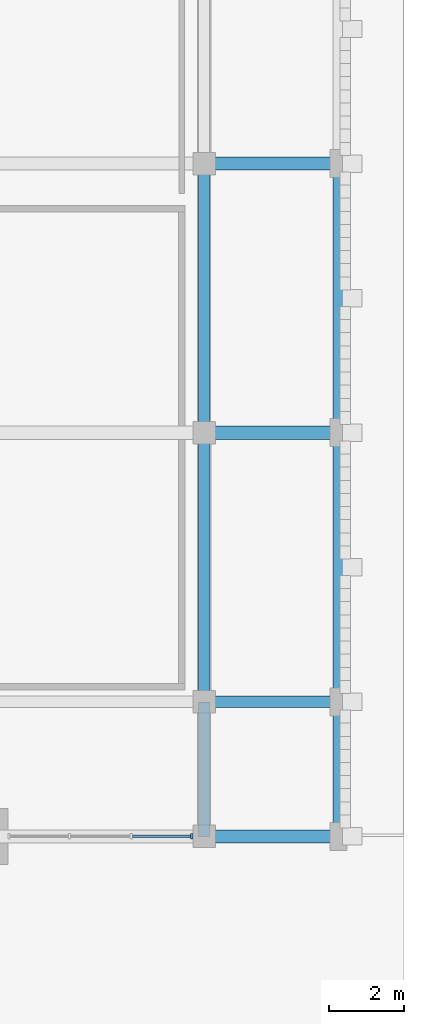
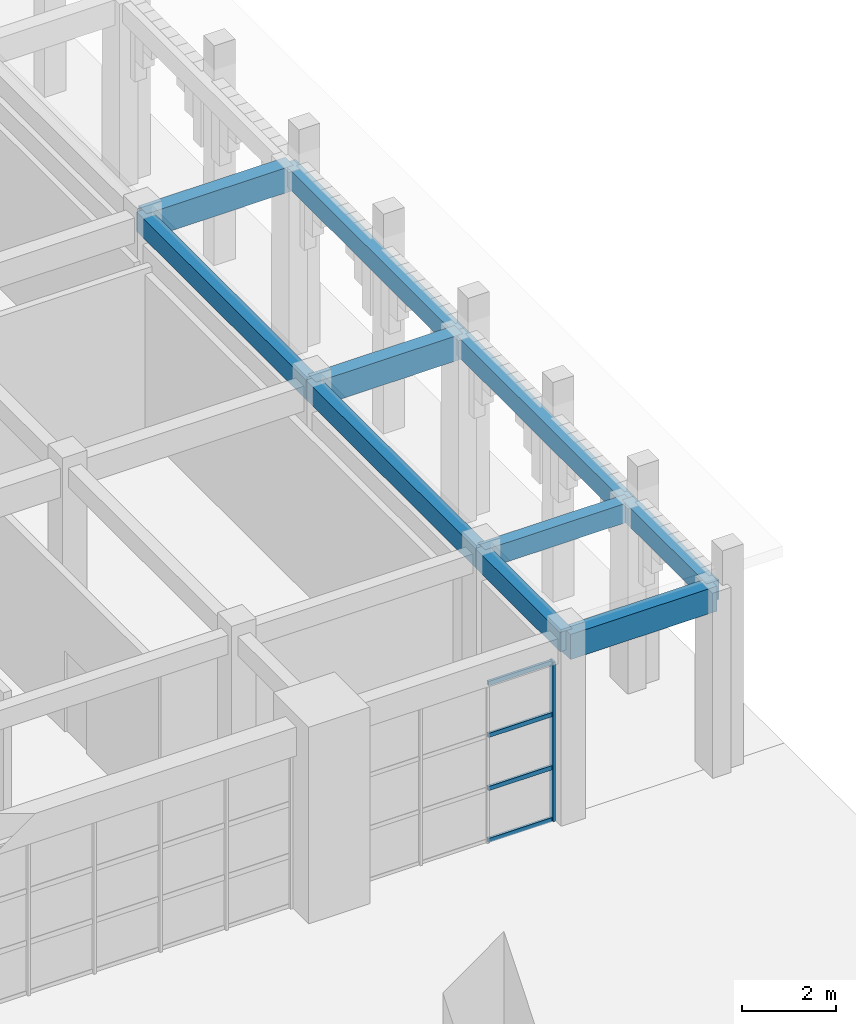
# One storey, part 24 of 72: 10 beams, 5 members, 1 element without a shape of its own.
"""IFC4 building model written with IfcOpenShell, lengths in metres."""

import ifcopenshell
import ifcopenshell.guid

model = None  # the IFC model being written
_history = None  # IfcOwnerHistory: only IFC2X3 demands one
_inside = {}  # id of a spatial element -> (the spatial element, [elements in it])
_under = {}  # id of a project, library or spatial element -> (it, [spatial elements below it])
_declared = {}  # id of a project -> (the project, [libraries it declares])
_typed = {}  # id of a type object -> (the type object, [elements of that type])
_made_of = {}  # id of a material, layer set ... -> (it, [elements and type objects made of it])


def new_model(schema):
    """Start an empty IFC model of exactly this schema.

    Asked for "IFC4X3", IfcOpenShell would pick the latest addendum, in which some entities
    have other attributes; the version numbers below select the first issue.
    IFC2X3 requires an IfcOwnerHistory on every rooted entity: one is made here for all.
    """
    global model, _history
    if schema == "IFC4X3":
        model = ifcopenshell.file(schema_version=(4, 3, 0, 0))
    else:
        model = ifcopenshell.file(schema=schema)
    _inside.clear()
    _under.clear()
    _declared.clear()
    _typed.clear()
    _made_of.clear()
    _history = None
    if model.schema == "IFC2X3":
        org = make("IfcOrganization", Name="unknown")
        user = make(
            "IfcPersonAndOrganization",
            ThePerson=make("IfcPerson", FamilyName="unknown"),
            TheOrganization=org,
        )
        app = make(
            "IfcApplication",
            ApplicationDeveloper=org,
            Version="unknown",
            ApplicationFullName="unknown",
            ApplicationIdentifier="unknown",
        )
        _history = make(
            "IfcOwnerHistory",
            OwningUser=user,
            OwningApplication=app,
            ChangeAction="ADDED",
            CreationDate=0,
        )
    return model


def make(cls, **values):
    """One entity of the class cls with the attributes given. An attribute that is None is left unset."""
    return model.create_entity(
        cls, **{name: value for name, value in values.items() if value is not None}
    )


def rooted(cls, **values):
    """An entity with a GlobalId (a new one), such as an element, a storey or a relation."""
    return make(cls, GlobalId=ifcopenshell.guid.new(), OwnerHistory=_history, **values)


def si_unit(unit_type, name, prefix=None):
    """IfcSIUnit, for example si_unit("LENGTHUNIT", "METRE", prefix="MILLI")."""
    return make("IfcSIUnit", UnitType=unit_type, Prefix=prefix, Name=name)


def assignment(units):
    """IfcUnitAssignment: the units of a project."""
    return None if units is None else make("IfcUnitAssignment", Units=units)


def point(xyz):
    """IfcCartesianPoint."""
    return None if xyz is None else make("IfcCartesianPoint", Coordinates=xyz)


def direction(xyz):
    """IfcDirection."""
    return None if xyz is None else make("IfcDirection", DirectionRatios=xyz)


def frame(location, z_axis=None, x_axis=None):
    """IfcAxis2Placement3D, a coordinate frame: its origin and axes. An axis left out is left unset."""
    return make(
        "IfcAxis2Placement3D",
        Location=point(location),
        Axis=direction(z_axis),
        RefDirection=direction(x_axis),
    )


def frame_2d(location, x_axis=None):
    """IfcAxis2Placement2D, a coordinate frame in the plane: its origin and x axis."""
    return make(
        "IfcAxis2Placement2D", Location=point(location), RefDirection=direction(x_axis)
    )


def origin():
    """The frame at (0, 0, 0) with its axes left unset."""
    return frame((0.0, 0.0, 0.0))


def origin_2d():
    """The frame at (0, 0) in the plane with its x axis left unset."""
    return frame_2d((0.0, 0.0))


def place(relative_to, where):
    """IfcLocalPlacement: puts the frame where relative to a parent placement (None: the world)."""
    return make(
        "IfcLocalPlacement", PlacementRelTo=relative_to, RelativePlacement=where
    )


def context(
    kind, dimensions, precision=None, world=None, true_north=None, identifier=None
):
    """IfcGeometricRepresentationContext, for example the 3D "Model" context."""
    return make(
        "IfcGeometricRepresentationContext",
        ContextIdentifier=identifier,
        ContextType=kind,
        CoordinateSpaceDimension=dimensions,
        Precision=precision,
        WorldCoordinateSystem=world,
        TrueNorth=true_north,
    )


def subcontext(parent, identifier, kind, view, scale=None):
    """IfcGeometricRepresentationSubContext, for example "Body" below "Model"."""
    return make(
        "IfcGeometricRepresentationSubContext",
        ContextIdentifier=identifier,
        ContextType=kind,
        ParentContext=parent,
        TargetScale=scale,
        TargetView=view,
    )


def project(units=None, contexts=None):
    """IfcProject with its units and contexts."""
    return rooted(
        "IfcProject",
        Name="project",
        RepresentationContexts=contexts,
        UnitsInContext=assignment(units),
    )


def spatial(cls, under=None, at=None, **own):
    """A site, building, storey or space (cls), placed at a placement, below another one or the project."""
    s = rooted(cls, ObjectPlacement=at, **own)
    if under is not None:
        _under.setdefault(under.id(), (under, []))[1].append(s)
    return s


def profile(cls, at=None, kind="AREA", **sizes):
    """A parametric profile (cls). Its sizes go by their IFC names, for example OverallWidth=200.0."""
    return make(cls, ProfileType=kind, Position=at, **sizes)


def rectangle(**sizes):
    """IfcRectangleProfileDef."""
    return profile("IfcRectangleProfileDef", **sizes)


def extrude(swept, where, along, depth):
    """IfcExtrudedAreaSolid: the profile swept, set in the frame where, extruded along a direction by depth."""
    return make(
        "IfcExtrudedAreaSolid",
        SweptArea=swept,
        Position=where,
        ExtrudedDirection=direction(along),
        Depth=depth,
    )


def shape(context_of_items, identifier, shape_type, items):
    """IfcShapeRepresentation: the items that make up one representation, for example the "Body"."""
    return make(
        "IfcShapeRepresentation",
        ContextOfItems=context_of_items,
        RepresentationIdentifier=identifier,
        RepresentationType=shape_type,
        Items=items,
    )


def material(Name=None, Category=None):
    """IfcMaterial."""
    return make("IfcMaterial", Name=Name, Category=Category)


def material_profile(
    of_material, cross_section, Name=None, Category=None, Priority=None
):
    """IfcMaterialProfile: a cross section and its material."""
    return make(
        "IfcMaterialProfile",
        Name=Name,
        Material=of_material,
        Profile=cross_section,
        Priority=Priority,
        Category=Category,
    )


def profile_set(profiles, Name=None, composite=None):
    """IfcMaterialProfileSet."""
    return make(
        "IfcMaterialProfileSet",
        Name=Name,
        MaterialProfiles=profiles,
        CompositeProfile=composite,
    )


def made_of(thing, what):
    """Note that an element or type object is made of a material, layer set ...; save() writes the relation."""
    if what is not None:
        _made_of.setdefault(what.id(), (what, []))[1].append(thing)
    return thing


def type_object(cls, material=None, **own):
    """A type object (cls), such as IfcWallType, which elements share."""
    return made_of(rooted(cls, **own), material)


def element(
    cls,
    number,
    at=None,
    inside=None,
    cuts=None,
    type_object=None,
    material=None,
    context=None,
    identifier="Body",
    shape_type=None,
    held_by="IfcProductDefinitionShape",
    body=None,
    shapes=None,
    **own,
):
    """One element of the class cls, such as IfcWall. Its Tag is "e" and its number.

    at: its placement. inside: the storey or other place that contains it. cuts: it is an
    opening in that element (IfcRelVoidsElement). A single representation is given by context,
    identifier, shape_type and body (its items); several are given by shapes. held_by: the class
    of the entity that holds the representations. save() writes the other relations.
    """
    e = rooted(cls, Tag="e%d" % number, ObjectPlacement=at, **own)
    if body is not None:
        shapes = [shape(context, identifier, shape_type, body)]
    if shapes is not None:
        e.Representation = make(held_by, Representations=shapes)
    if inside is not None:
        _inside.setdefault(inside.id(), (inside, []))[1].append(e)
    if cuts is not None:
        rooted(
            "IfcRelVoidsElement", RelatingBuildingElement=cuts, RelatedOpeningElement=e
        )
    if type_object is not None:
        _typed.setdefault(type_object.id(), (type_object, []))[1].append(e)
    return made_of(e, material)


def aggregate(whole, parts):
    """IfcRelAggregates: a whole, such as a stair, and the parts it consists of."""
    return rooted("IfcRelAggregates", RelatingObject=whole, RelatedObjects=parts)


def save(model, path):
    """Write the relations noted so far, then the file.

    IfcRelAggregates (storeys below a building ...), IfcRelContainedInSpatialStructure (elements
    in a storey), IfcRelDefinesByType, IfcRelAssociatesMaterial and IfcRelDeclares: one each for
    every whole, place, type object, material and project.
    """
    for whole, parts in _under.values():
        aggregate(whole, parts)
    for where, things in _inside.values():
        rooted(
            "IfcRelContainedInSpatialStructure",
            RelatedElements=things,
            RelatingStructure=where,
        )
    for kind, things in _typed.values():
        rooted("IfcRelDefinesByType", RelatedObjects=things, RelatingType=kind)
    for what, things in _made_of.values():
        rooted("IfcRelAssociatesMaterial", RelatedObjects=things, RelatingMaterial=what)
    for by, libraries in _declared.values():
        rooted("IfcRelDeclares", RelatingContext=by, RelatedDefinitions=libraries)
    model.write(path)


model = new_model("IFC4")

# Units and contexts
model_context = context("Model", 3, precision=1e-05, world=origin(), true_north=direction((0.0, 1.0)))
body_context = subcontext(model_context, "Body", "Model", "MODEL_VIEW")
ifc_project = project(units=[si_unit("LENGTHUNIT", "METRE"), si_unit("AREAUNIT", "SQUARE_METRE"), si_unit("VOLUMEUNIT", "CUBIC_METRE"), si_unit("PLANEANGLEUNIT", "RADIAN"), si_unit("MASSUNIT", "GRAM", prefix="KILO")], contexts=[model_context])

# Site, building, storey
site_placement = place(None, origin())
site = spatial("IfcSite", under=ifc_project, at=site_placement, CompositionType="ELEMENT")
building_placement = place(site_placement, origin())
building = spatial("IfcBuilding", under=site, at=building_placement, Name="Nzembalo Square Collegiate School", CompositionType="ELEMENT")
storey_placement = place(building_placement, origin())
storey = spatial("IfcBuildingStorey", under=building, at=storey_placement, Name="L00", CompositionType="ELEMENT", Elevation=0.0)

# Beams
ifc_material_1 = material(Name="Concrete C35/45", Category="concrete")
ifc_material_profile_1 = material_profile(ifc_material_1, rectangle(XDim=0.35009765625, YDim=0.64990234375, at=origin_2d()), Name="RC 350x650")
ifc_profile_set_1 = profile_set([ifc_material_profile_1], Name="Concrete C35/45")
beam_type_1 = type_object("IfcBeamType", Name="B01", PredefinedType="BEAM", material=ifc_profile_set_1)
for number, where, z_axis, x_axis, name in (
    (1, (165.60009765625, 79.199951171875, 4.465087890625), (1.0, 0.0, 0.0), (0.0, 1.0, 0.0), "Beam B01 L00"),
    (2, (165.60009765625, 90.0, 4.465087890625), (1.0, 0.0, 0.0), (0.0, 1.0, 0.0), "Beam B01 L00"),
    (3, (165.60009765625, 97.199951171875, 4.465087890625), (1.0, 0.0, 0.0), (0.0, 1.0, 0.0), "Beam B01 L00"),
):
    element("IfcBeam", number, at=place(storey_placement, frame(where, z_axis=z_axis, x_axis=x_axis)), inside=storey, type_object=beam_type_1, Name=name, PredefinedType="BEAM", context=body_context, shape_type="SweptSolid", body=[
        extrude(rectangle(XDim=0.35009765625, YDim=0.64990234375, at=origin_2d()), origin(), (0.0, 0.0, 1.0), 3.599853515625),
    ])
ifc_material_2 = material(Name="Concrete C35/45", Category="concrete")
ifc_material_profile_2 = material_profile(ifc_material_2, rectangle(XDim=0.300048828125, YDim=0.5, at=origin_2d()), Name="RC 300x500")
ifc_profile_set_2 = profile_set([ifc_material_profile_2], Name="Concrete C35/45")
beam_type_2 = type_object("IfcBeamType", Name="SP01", PredefinedType="SPANDREL", material=ifc_profile_set_2)
beam_1_placement = place(storey_placement, frame((165.60009765625, 82.800048828125, 4.5400390625), z_axis=(1.0, 0.0, 0.0), x_axis=(0.0, 1.0, 0.0)))
element("IfcBeam", 4, at=beam_1_placement, inside=storey, type_object=beam_type_2, Name="Beam SP01 L00", PredefinedType="SPANDREL", context=body_context, shape_type="SweptSolid", body=[
    extrude(rectangle(XDim=0.300048828125, YDim=0.5, at=origin_2d()), origin(), (0.0, 0.0, 1.0), 3.599853515625),
])
beam_2_placement = place(storey_placement, frame((165.60009765625, 79.199951171875, 4.5400390625), z_axis=(0.0, 1.0, 0.0), x_axis=(-1.0, 0.0, 0.0)))
element("IfcBeam", 5, at=beam_2_placement, inside=storey, type_object=beam_type_2, Name="Beam SP01 L00", PredefinedType="SPANDREL", context=body_context, shape_type="SweptSolid", body=[
    extrude(rectangle(XDim=0.300048828125, YDim=0.5, at=origin_2d()), origin(), (0.0, 0.0, 1.0), 3.60009765625),
])
for number, where, z_axis, x_axis, name in (
    (6, (165.60009765625, 82.800048828125, 4.5400390625), (0.0, 1.0, 0.0), (-1.0, 0.0, 0.0), "Beam SP01 L00"),
    (7, (165.60009765625, 90.0, 4.5400390625), (0.0, 1.0, 0.0), (-1.0, 0.0, 0.0), "Beam SP01 L00"),
):
    element("IfcBeam", number, at=place(storey_placement, frame(where, z_axis=z_axis, x_axis=x_axis)), inside=storey, type_object=beam_type_2, Name=name, PredefinedType="SPANDREL", context=body_context, shape_type="SweptSolid", body=[
        extrude(rectangle(XDim=0.300048828125, YDim=0.5, at=origin_2d()), origin(), (0.0, 0.0, 1.0), 7.199951171875),
    ])
beam_3_placement = place(storey_placement, frame((169.199951171875, 79.199951171875, 4.5400390625), z_axis=(0.0, 1.0, 0.0), x_axis=(-1.0, 0.0, 0.0)))
element("IfcBeam", 8, at=beam_3_placement, inside=storey, type_object=beam_type_2, Name="Beam SP01 L00", PredefinedType="SPANDREL", context=body_context, shape_type="SweptSolid", body=[
    extrude(rectangle(XDim=0.300048828125, YDim=0.5, at=origin_2d()), origin(), (0.0, 0.0, 1.0), 3.60009765625),
])
for number, where, z_axis, x_axis, name in (
    (9, (169.199951171875, 82.800048828125, 4.5400390625), (0.0, 1.0, 0.0), (-1.0, 0.0, 0.0), "Beam SP01 L00"),
    (10, (169.199951171875, 90.0, 4.5400390625), (0.0, 1.0, 0.0), (-1.0, 0.0, 0.0), "Beam SP01 L00"),
):
    element("IfcBeam", number, at=place(storey_placement, frame(where, z_axis=z_axis, x_axis=x_axis)), inside=storey, type_object=beam_type_2, Name=name, PredefinedType="SPANDREL", context=body_context, shape_type="SweptSolid", body=[
        extrude(rectangle(XDim=0.300048828125, YDim=0.5, at=origin_2d()), origin(), (0.0, 0.0, 1.0), 7.199951171875),
    ])

# Curtain wall, members
ifc_material_3 = material(Name="Aluminium 6060-T66", Category="aluminium")
curtain_wall_type = type_object("IfcCurtainWallType", Name="CW-14", PredefinedType="USERDEFINED", material=ifc_material_3)
curtain_wall_placement = place(storey_placement, origin())
curtain_wall = element("IfcCurtainWall", 11, at=curtain_wall_placement, inside=storey, type_object=curtain_wall_type, Name="Curtain wall CW-14 cw:L00:025", ObjectType="UNITISED", PredefinedType="USERDEFINED")
ifc_material_4 = material(Name="Aluminium 6060-T66", Category="aluminium")
ifc_material_profile_3 = material_profile(ifc_material_4, rectangle(XDim=0.06005859375, YDim=0.14990234375, at=origin_2d()), Name="ALU M60x150")
ifc_profile_set_3 = profile_set([ifc_material_profile_3], Name="Aluminium 6060-T66")
member_type_1 = type_object("IfcMemberType", Name="ML02", PredefinedType="MULLION", material=ifc_profile_set_3)
member_1_placement = place(storey_placement, frame((165.26806640625, 79.199951171875, 0.0), z_axis=(0.0, 0.0, 1.0), x_axis=(1.0, 0.0, 0.0)))
member_1 = element("IfcMember", 12, at=member_1_placement, type_object=member_type_1, Name="ML02 mullion 4", PredefinedType="MULLION", context=body_context, shape_type="SweptSolid", body=[
    extrude(rectangle(XDim=0.06005859375, YDim=0.14990234375, at=origin_2d()), origin(), (0.0, 0.0, 1.0), 4.134033203125),
])
ifc_material_5 = material(Name="Aluminium 6060-T66", Category="aluminium")
ifc_material_profile_4 = material_profile(ifc_material_5, rectangle(XDim=0.06005859375, YDim=0.110107421875, at=origin_2d()), Name="ALU T60x110")
ifc_profile_set_4 = profile_set([ifc_material_profile_4], Name="Aluminium 6060-T66")
member_type_2 = type_object("IfcMemberType", Name="TR02", PredefinedType="USERDEFINED", material=ifc_profile_set_4)
member_2_placement = place(storey_placement, frame((163.679443359375, 79.199951171875, 0.030029296875), z_axis=(1.0, 0.0, 0.0), x_axis=(0.0, 1.0, 0.0)))
member_2 = element("IfcMember", 13, at=member_2_placement, type_object=member_type_2, Name="TR02 transom 1-3", ObjectType="TRANSOM", PredefinedType="USERDEFINED", context=body_context, shape_type="SweptSolid", body=[
    extrude(rectangle(XDim=0.06005859375, YDim=0.110107421875, at=origin_2d()), origin(), (0.0, 0.0, 1.0), 1.55859375),
])
member_3_placement = place(storey_placement, frame((163.679443359375, 79.199951171875, 1.3779296875), z_axis=(1.0, 0.0, 0.0), x_axis=(0.0, 1.0, 0.0)))
member_3 = element("IfcMember", 14, at=member_3_placement, type_object=member_type_2, Name="TR02 transom 2-3", ObjectType="TRANSOM", PredefinedType="USERDEFINED", context=body_context, shape_type="SweptSolid", body=[
    extrude(rectangle(XDim=0.06005859375, YDim=0.110107421875, at=origin_2d()), origin(), (0.0, 0.0, 1.0), 1.55859375),
])
member_4_placement = place(storey_placement, frame((163.679443359375, 79.199951171875, 2.756103515625), z_axis=(1.0, 0.0, 0.0), x_axis=(0.0, 1.0, 0.0)))
member_4 = element("IfcMember", 15, at=member_4_placement, type_object=member_type_2, Name="TR02 transom 3-3", ObjectType="TRANSOM", PredefinedType="USERDEFINED", context=body_context, shape_type="SweptSolid", body=[
    extrude(rectangle(XDim=0.06005859375, YDim=0.110107421875, at=origin_2d()), origin(), (0.0, 0.0, 1.0), 1.55859375),
])
member_5_placement = place(storey_placement, frame((163.679443359375, 79.199951171875, 4.10400390625), z_axis=(1.0, 0.0, 0.0), x_axis=(0.0, 1.0, 0.0)))
member_5 = element("IfcMember", 16, at=member_5_placement, type_object=member_type_2, Name="TR02 transom 4-3", ObjectType="TRANSOM", PredefinedType="USERDEFINED", context=body_context, shape_type="SweptSolid", body=[
    extrude(rectangle(XDim=0.06005859375, YDim=0.110107421875, at=origin_2d()), origin(), (0.0, 0.0, 1.0), 1.55859375),
])
aggregate(curtain_wall, [member_1, member_2, member_3, member_4, member_5])

save(model, "model.ifc")
